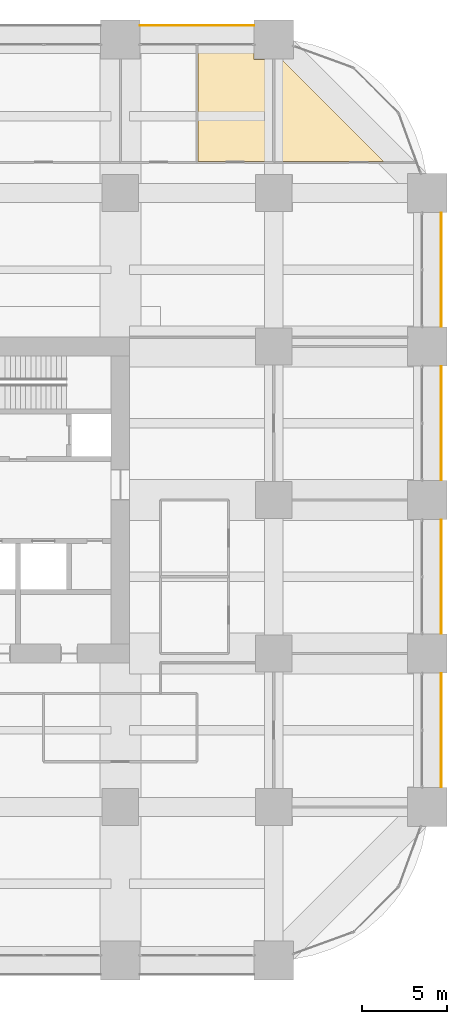
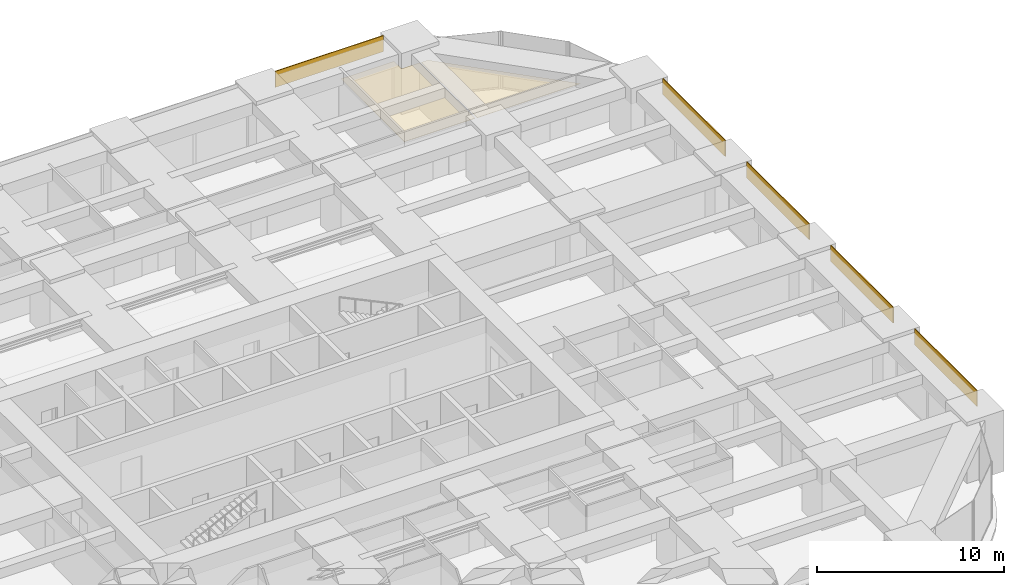
# One storey, part 44 of 44: 7 coverings.
"""IFC4 building model written with IfcOpenShell, lengths in metres."""

from ifc_helpers import new_model, si_unit, direction, frame, frame_2d, origin, place, context, subcontext, project, spatial, polyline, rectangle, outline, extrude, material, layer, layer_set, type_object, element, save


model = new_model("IFC4")

# Units and contexts
model_context = context("Model", 3, precision=1e-05, world=origin(), true_north=direction((0.0, 1.0)))
body_context = subcontext(model_context, "Body", "Model", "MODEL_VIEW")
ifc_project = project(units=[si_unit("LENGTHUNIT", "METRE"), si_unit("AREAUNIT", "SQUARE_METRE"), si_unit("VOLUMEUNIT", "CUBIC_METRE"), si_unit("PLANEANGLEUNIT", "RADIAN"), si_unit("MASSUNIT", "GRAM", prefix="KILO")], contexts=[model_context])

# Site, building, storey
site_placement = place(None, origin())
site = spatial("IfcSite", under=ifc_project, at=site_placement, CompositionType="ELEMENT")
building_placement = place(site_placement, origin())
building = spatial("IfcBuilding", under=site, at=building_placement, Name="Zorevar Civic Tower", CompositionType="ELEMENT")
storey_placement = place(building_placement, frame((0.0, 0.0, 63.800048828125)))
storey = spatial("IfcBuildingStorey", under=building, at=storey_placement, Name="L15", CompositionType="ELEMENT", Elevation=63.800048828125)

# Coverings
ifc_material_1 = material(Name="Black anodised aluminium spandrel panel", Category="aluminium")
ifc_layer_1 = layer(ifc_material_1, 0.050048828125)
ifc_layer_set_1 = layer_set([ifc_layer_1], Name="Spandrel cladding SP1")
covering_type_1 = type_object("IfcCoveringType", Name="Spandrel cladding SP1", PredefinedType="CLADDING", material=ifc_layer_set_1)
for number, where, z_axis, x_axis, name in (
    (1, (46.14990234375, 54.824951171875, 2.949951171875), (0.0, 0.0, 1.0), (1.0, 0.0, 0.0), "Spandrel cladding L16"),
    (2, (63.824951171875, 10.14990234375, 2.949951171875), (0.0, 0.0, 1.0), (0.0, 1.0, 0.0), "Spandrel cladding L16"),
    (3, (63.824951171875, 19.14990234375, 2.949951171875), (0.0, 0.0, 1.0), (0.0, 1.0, 0.0), "Spandrel cladding L16"),
    (4, (63.824951171875, 28.14990234375, 2.949951171875), (0.0, 0.0, 1.0), (0.0, 1.0, 0.0), "Spandrel cladding L16"),
    (5, (63.824951171875, 37.14990234375, 2.949951171875), (0.0, 0.0, 1.0), (0.0, 1.0, 0.0), "Spandrel cladding L16"),
):
    element("IfcCovering", number, at=place(storey_placement, frame(where, z_axis=z_axis, x_axis=x_axis)), inside=storey, type_object=covering_type_1, Name=name, PredefinedType="CLADDING", context=body_context, shape_type="SweptSolid", body=[
        extrude(rectangle(XDim=6.7001953125, YDim=0.050048828125, at=frame_2d((3.35009765625, 0.0))), origin(), (0.0, 0.0, 1.0), 1.050048828125),
    ])
ifc_material_2 = material(Name="Mineral fibre tiles on a concealed grid")
ifc_layer_2 = layer(ifc_material_2, 0.02001953125)
ifc_layer_set_2 = layer_set([ifc_layer_2], Name="Suspended ceiling SC1")
covering_type_2 = type_object("IfcCoveringType", Name="Suspended ceiling SC1", PredefinedType="CEILING", material=ifc_layer_set_2)
covering_1_placement = place(storey_placement, frame((0.0, 0.0, 3.0)))
element("IfcCovering", 6, at=covering_1_placement, inside=storey, type_object=covering_type_2, Name="Ceiling L15-24", PredefinedType="CEILING", context=body_context, shape_type="SweptSolid", body=[
    extrude(outline(polyline([(49.56005859375, 46.860107421875), (49.56005859375, 53.64990234375), (52.840087890625, 53.64990234375), (52.840087890625, 52.840087890625), (53.93994140625, 52.840087890625), (53.93994140625, 46.860107421875), (49.56005859375, 46.860107421875)])), origin(), (0.0, 0.0, 1.0), 0.02001953125),
])
covering_2_placement = place(storey_placement, frame((0.0, 0.0, 3.0)))
element("IfcCovering", 7, at=covering_2_placement, inside=storey, type_object=covering_type_2, Name="Ceiling L15-26", PredefinedType="CEILING", context=body_context, shape_type="SweptSolid", body=[
    extrude(outline(polyline([(54.06005859375, 46.85009765625), (54.06005859375, 52.840087890625), (54.452880859375, 52.840087890625), (60.44287109375, 46.85009765625), (54.06005859375, 46.85009765625)])), origin(), (0.0, 0.0, 1.0), 0.02001953125),
])

save(model, "model.ifc")
